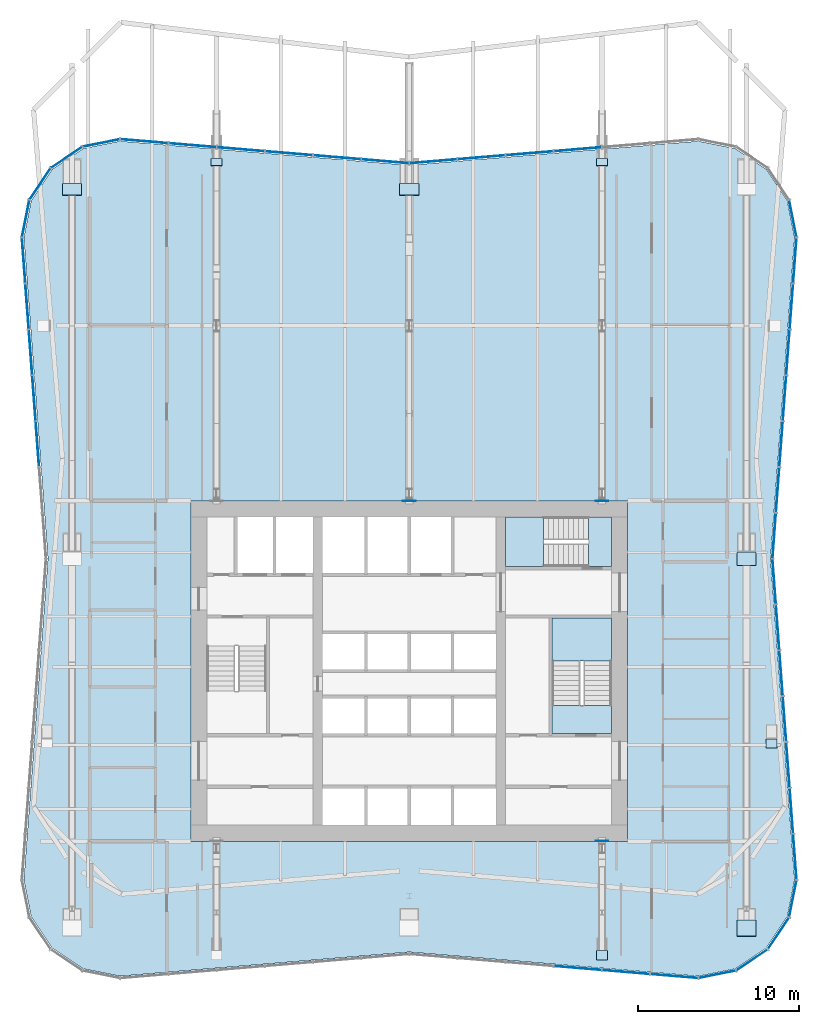
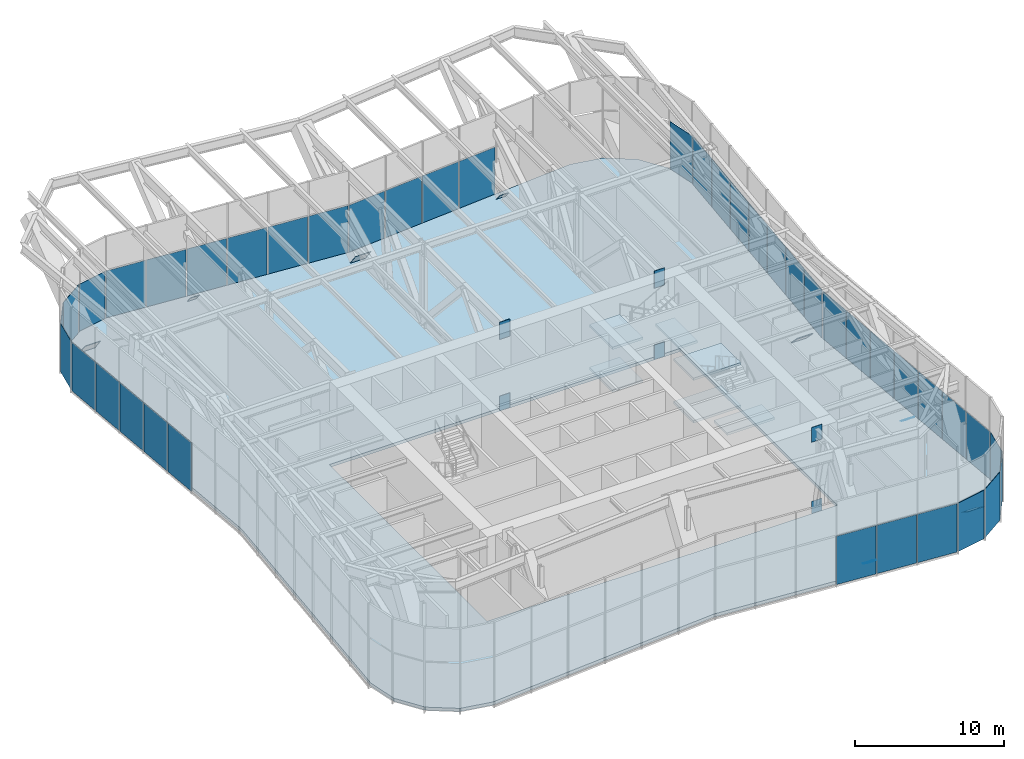
# One storey, part 9 of 16: 55 plates, 7 slabs, 9 elements without a shape of their own.
"""IFC4 building model written with IfcOpenShell, lengths in metres."""

from ifc_helpers import new_model, si_unit, direction, frame, origin, origin_2d, place, context, subcontext, project, spatial, polyline, rectangle, outline, extrude, material, layer, layer_set, type_object, element, aggregate, save


model = new_model("IFC4")

# Units and contexts
model_context = context("Model", 3, precision=1e-05, world=origin(), true_north=direction((0.0, 1.0)))
body_context = subcontext(model_context, "Body", "Model", "MODEL_VIEW")
ifc_project = project(units=[si_unit("LENGTHUNIT", "METRE"), si_unit("AREAUNIT", "SQUARE_METRE"), si_unit("VOLUMEUNIT", "CUBIC_METRE"), si_unit("PLANEANGLEUNIT", "RADIAN"), si_unit("MASSUNIT", "GRAM", prefix="KILO")], contexts=[model_context])

# Site, building, storey
site_placement = place(None, origin())
site = spatial("IfcSite", under=ifc_project, at=site_placement, CompositionType="ELEMENT")
building_placement = place(site_placement, origin())
building = spatial("IfcBuilding", under=site, at=building_placement, Name="Verdant Reach Tower", CompositionType="ELEMENT")
storey_placement = place(building_placement, frame((0.0, 0.0, 170.0)))
storey = spatial("IfcBuildingStorey", under=building, at=storey_placement, Name="L39 Plant", CompositionType="ELEMENT", Elevation=170.0)

# Stair, slabs
ifc_material_1 = material(Name="Concrete C40/50", Category="concrete")
stair_type = type_object("IfcStairType", Name="CO-STAIR", PredefinedType="HALF_TURN_STAIR", material=ifc_material_1)
stair_1_placement = place(storey_placement, origin())
stair_1 = element("IfcStair", 1, at=stair_1_placement, inside=storey, type_object=stair_type, Name="L39 Plant Exit stair 2", PredefinedType="HALF_TURN_STAIR")
ifc_layer_1 = layer(ifc_material_1, 0.199951171875)
ifc_layer_set_1 = layer_set([ifc_layer_1], Name="CO-STAIR-LANDING")
slab_type_1 = type_object("IfcSlabType", Name="CO-STAIR-LANDING", PredefinedType="LANDING", material=ifc_layer_set_1)
slab_1_placement = place(storey_placement, frame((0.0, 0.0, 1.550048828125)))
slab_1 = element("IfcSlab", 2, at=slab_1_placement, type_object=slab_type_1, Name="ST-2 landing 1", PredefinedType="LANDING", context=body_context, shape_type="SweptSolid", body=[
    extrude(outline(polyline([(12.60009765625, 28.639892578125), (12.60009765625, 31.300048828125), (8.89990234375, 31.300048828125), (8.89990234375, 28.639892578125), (12.60009765625, 28.639892578125)])), origin(), (0.0, 0.0, 1.0), 0.199951171875),
])
slab_2_placement = place(storey_placement, frame((0.0, 0.0, 3.300048828125)))
slab_2 = element("IfcSlab", 3, at=slab_2_placement, type_object=slab_type_1, Name="ST-2 landing 2", PredefinedType="LANDING", context=body_context, shape_type="SweptSolid", body=[
    extrude(outline(polyline([(12.60009765625, 24.10009765625), (12.60009765625, 25.85009765625), (8.89990234375, 25.85009765625), (8.89990234375, 24.10009765625), (12.60009765625, 24.10009765625)])), origin(), (0.0, 0.0, 1.0), 0.199951171875),
])
slab_3_placement = place(storey_placement, frame((0.0, 0.0, 5.050048828125)))
slab_3 = element("IfcSlab", 4, at=slab_3_placement, type_object=slab_type_1, Name="ST-2 landing 3", PredefinedType="LANDING", context=body_context, shape_type="SweptSolid", body=[
    extrude(outline(polyline([(12.60009765625, 28.639892578125), (12.60009765625, 31.300048828125), (8.89990234375, 31.300048828125), (8.89990234375, 28.639892578125), (12.60009765625, 28.639892578125)])), origin(), (0.0, 0.0, 1.0), 0.199951171875),
])
aggregate(stair_1, [slab_1, slab_2, slab_3])

stair_2_placement = place(storey_placement, origin())
stair_2 = element("IfcStair", 5, at=stair_2_placement, inside=storey, type_object=stair_type, Name="L39 Plant Exit stair 3", PredefinedType="HALF_TURN_STAIR")
slab_4_placement = place(storey_placement, frame((0.0, 0.0, 1.550048828125)))
slab_4 = element("IfcSlab", 6, at=slab_4_placement, type_object=slab_type_1, Name="ST-3 landing 1", PredefinedType="LANDING", context=body_context, shape_type="SweptSolid", body=[
    extrude(outline(polyline([(8.360107421875, 37.60009765625), (6.0, 37.60009765625), (6.0, 34.5), (8.360107421875, 34.5), (8.360107421875, 37.60009765625)])), origin(), (0.0, 0.0, 1.0), 0.199951171875),
])
slab_5_placement = place(storey_placement, frame((0.0, 0.0, 3.300048828125)))
slab_5 = element("IfcSlab", 7, at=slab_5_placement, type_object=slab_type_1, Name="ST-3 landing 2", PredefinedType="LANDING", context=body_context, shape_type="SweptSolid", body=[
    extrude(outline(polyline([(12.60009765625, 37.60009765625), (11.14990234375, 37.60009765625), (11.14990234375, 34.5), (12.60009765625, 34.5), (12.60009765625, 37.60009765625)])), origin(), (0.0, 0.0, 1.0), 0.199951171875),
])
slab_6_placement = place(storey_placement, frame((0.0, 0.0, 5.050048828125)))
slab_6 = element("IfcSlab", 8, at=slab_6_placement, type_object=slab_type_1, Name="ST-3 landing 3", PredefinedType="LANDING", context=body_context, shape_type="SweptSolid", body=[
    extrude(outline(polyline([(8.360107421875, 37.60009765625), (6.0, 37.60009765625), (6.0, 34.5), (8.360107421875, 34.5), (8.360107421875, 37.60009765625)])), origin(), (0.0, 0.0, 1.0), 0.199951171875),
])
aggregate(stair_2, [slab_4, slab_5, slab_6])

# Curtain wall, plates
ifc_material_2 = material(Name="Anodised aluminium", Category="aluminium")
curtain_wall_type = type_object("IfcCurtainWallType", Name="EN-CW SYSTEM PLANT", PredefinedType="NOTDEFINED", material=ifc_material_2)
curtain_wall_1_placement = place(storey_placement, origin())
curtain_wall_1 = element("IfcCurtainWall", 9, at=curtain_wall_1_placement, inside=storey, type_object=curtain_wall_type, Name="Curtain wall south-east corner, L39", PredefinedType="NOTDEFINED")
ifc_material_3 = material(Name="Bronze anodised aluminium solid panel", Category="aluminium")
ifc_layer_2 = layer(ifc_material_3, 0.0400390625)
ifc_layer_set_2 = layer_set([ifc_layer_2], Name="EN-PANEL SOLID")
plate_type_1 = type_object("IfcPlateType", Name="EN-PANEL SOLID", PredefinedType="CURTAIN_PANEL", material=ifc_layer_set_2)
plate_1_placement = place(storey_placement, frame((19.174072265625, 9.114013671875, -0.199951171875), z_axis=(0.0, 0.0, 1.0), x_axis=(0.980694678629, 0.195545256419, 0.0)))
plate_1 = element("IfcPlate", 10, at=plate_1_placement, type_object=plate_type_1, Name="Solid panel south-east corner 1.1, L39", PredefinedType="CURTAIN_PANEL", context=body_context, shape_type="SweptSolid", body=[
    extrude(rectangle(XDim=2.304931640625, YDim=0.0400390625, at=origin_2d()), origin(), (0.0, 0.0, 1.0), 3.97509765625),
])
plate_2_placement = place(storey_placement, frame((21.334228515625, 10.010009765625, -0.199951171875), z_axis=(0.0, 0.0, 1.0), x_axis=(0.83145208321, 0.555596466265, 0.0)))
plate_2 = element("IfcPlate", 11, at=plate_2_placement, type_object=plate_type_1, Name="Solid panel south-east corner 2.1, L39", PredefinedType="CURTAIN_PANEL", context=body_context, shape_type="SweptSolid", body=[
    extrude(rectangle(XDim=2.3115234375, YDim=0.0400390625, at=origin_2d()), origin(), (0.0, 0.0, 1.0), 3.97509765625),
])
plate_3_placement = place(storey_placement, frame((22.989990234375, 11.665771484375, -0.199951171875), z_axis=(0.0, 0.0, 1.0), x_axis=(0.555596466265, 0.83145208321, 0.0)))
plate_3 = element("IfcPlate", 12, at=plate_3_placement, type_object=plate_type_1, Name="Solid panel south-east corner 3.1, L39", PredefinedType="CURTAIN_PANEL", context=body_context, shape_type="SweptSolid", body=[
    extrude(rectangle(XDim=2.3115234375, YDim=0.0400390625, at=origin_2d()), origin(), (0.0, 0.0, 1.0), 3.97509765625),
])
plate_4_placement = place(storey_placement, frame((23.885986328125, 13.82568359375, -0.199951171875), z_axis=(0.0, 0.0, 1.0), x_axis=(0.195573211056, 0.980689104211, 0.0)))
plate_4 = element("IfcPlate", 13, at=plate_4_placement, type_object=plate_type_1, Name="Solid panel south-east corner 4.1, L39", PredefinedType="CURTAIN_PANEL", context=body_context, shape_type="SweptSolid", body=[
    extrude(rectangle(XDim=2.304443359375, YDim=0.0400390625, at=origin_2d()), origin(), (0.0, 0.0, 1.0), 3.97509765625),
])
aggregate(curtain_wall_1, [plate_1, plate_2, plate_3, plate_4])

curtain_wall_2_placement = place(storey_placement, origin())
curtain_wall_2 = element("IfcCurtainWall", 14, at=curtain_wall_2_placement, inside=storey, type_object=curtain_wall_type, Name="Curtain wall east, L39", PredefinedType="NOTDEFINED")
plate_5_placement = place(storey_placement, frame((24.011474609375, 16.429443359375, -0.199951171875), z_axis=(0.0, 0.0, 1.0), x_axis=(-0.074411874128, 0.997227593375, 0.0)))
plate_5 = element("IfcPlate", 15, at=plate_5_placement, type_object=plate_type_1, Name="Solid panel east face part 1 1.1, L39", PredefinedType="CURTAIN_PANEL", context=body_context, shape_type="SweptSolid", body=[
    extrude(rectangle(XDim=2.80517578125, YDim=0.0400390625, at=origin_2d()), origin(), (0.0, 0.0, 1.0), 3.97509765625),
])
plate_6_placement = place(storey_placement, frame((23.797119140625, 19.294677734375, -0.199951171875), z_axis=(0.0, 0.0, 1.0), x_axis=(-0.074789948245, 0.997199309888, 0.0)))
plate_6 = element("IfcPlate", 16, at=plate_6_placement, type_object=plate_type_1, Name="Solid panel east face part 1 2.1, L39", PredefinedType="CURTAIN_PANEL", context=body_context, shape_type="SweptSolid", body=[
    extrude(rectangle(XDim=2.7890625, YDim=0.0400390625, at=origin_2d()), origin(), (0.0, 0.0, 1.0), 3.97509765625),
])
plate_7_placement = place(storey_placement, frame((23.5830078125, 22.15185546875, -0.199951171875), z_axis=(0.0, 0.0, 1.0), x_axis=(-0.074789948245, 0.997199309888, 0.0)))
plate_7 = element("IfcPlate", 17, at=plate_7_placement, type_object=plate_type_1, Name="Solid panel east face part 1 3.1, L39", PredefinedType="CURTAIN_PANEL", context=body_context, shape_type="SweptSolid", body=[
    extrude(rectangle(XDim=2.7890625, YDim=0.0400390625, at=origin_2d()), origin(), (0.0, 0.0, 1.0), 3.97509765625),
])
plate_8_placement = place(storey_placement, frame((23.36865234375, 25.0087890625, -0.199951171875), z_axis=(0.0, 0.0, 1.0), x_axis=(-0.074789948245, 0.997199309888, 0.0)))
plate_8 = element("IfcPlate", 18, at=plate_8_placement, type_object=plate_type_1, Name="Solid panel east face part 1 4.1, L39", PredefinedType="CURTAIN_PANEL", context=body_context, shape_type="SweptSolid", body=[
    extrude(rectangle(XDim=2.7890625, YDim=0.0400390625, at=origin_2d()), origin(), (0.0, 0.0, 1.0), 3.97509765625),
])
plate_9_placement = place(storey_placement, frame((23.154296875, 27.865966796875, -0.199951171875), z_axis=(0.0, 0.0, 1.0), x_axis=(-0.074789948245, 0.997199309888, 0.0)))
plate_9 = element("IfcPlate", 19, at=plate_9_placement, type_object=plate_type_1, Name="Solid panel east face part 1 5.1, L39", PredefinedType="CURTAIN_PANEL", context=body_context, shape_type="SweptSolid", body=[
    extrude(rectangle(XDim=2.7890625, YDim=0.0400390625, at=origin_2d()), origin(), (0.0, 0.0, 1.0), 3.97509765625),
])
plate_10_placement = place(storey_placement, frame((22.940185546875, 30.72314453125, -0.199951171875), z_axis=(0.0, 0.0, 1.0), x_axis=(-0.074789948245, 0.997199309888, 0.0)))
plate_10 = element("IfcPlate", 20, at=plate_10_placement, type_object=plate_type_1, Name="Solid panel east face part 1 6.1, L39", PredefinedType="CURTAIN_PANEL", context=body_context, shape_type="SweptSolid", body=[
    extrude(rectangle(XDim=2.7890625, YDim=0.0400390625, at=origin_2d()), origin(), (0.0, 0.0, 1.0), 3.97509765625),
])
plate_11_placement = place(storey_placement, frame((22.72607421875, 33.575927734375, -0.199951171875), z_axis=(0.0, 0.0, 1.0), x_axis=(-0.074906305432, 0.997190576272, 0.0)))
plate_11 = element("IfcPlate", 21, at=plate_11_placement, type_object=plate_type_1, Name="Solid panel east face part 1 7.1, L39", PredefinedType="CURTAIN_PANEL", context=body_context, shape_type="SweptSolid", body=[
    extrude(rectangle(XDim=2.7802734375, YDim=0.0400390625, at=origin_2d()), origin(), (0.0, 0.0, 1.0), 3.97509765625),
])
plate_12_placement = place(storey_placement, frame((22.72607421875, 36.424072265625, -0.199951171875), z_axis=(0.0, 0.0, 1.0), x_axis=(0.074906305432, 0.997190576272, 0.0)))
plate_12 = element("IfcPlate", 22, at=plate_12_placement, type_object=plate_type_1, Name="Solid panel east face part 2 1.1, L39", PredefinedType="CURTAIN_PANEL", context=body_context, shape_type="SweptSolid", body=[
    extrude(rectangle(XDim=2.7802734375, YDim=0.0400390625, at=origin_2d()), origin(), (0.0, 0.0, 1.0), 3.97509765625),
])
plate_13_placement = place(storey_placement, frame((22.940185546875, 39.27685546875, -0.199951171875), z_axis=(0.0, 0.0, 1.0), x_axis=(0.074789948245, 0.997199309888, 0.0)))
plate_13 = element("IfcPlate", 23, at=plate_13_placement, type_object=plate_type_1, Name="Solid panel east face part 2 2.1, L39", PredefinedType="CURTAIN_PANEL", context=body_context, shape_type="SweptSolid", body=[
    extrude(rectangle(XDim=2.7890625, YDim=0.0400390625, at=origin_2d()), origin(), (0.0, 0.0, 1.0), 3.97509765625),
])
plate_14_placement = place(storey_placement, frame((23.154296875, 42.134033203125, -0.199951171875), z_axis=(0.0, 0.0, 1.0), x_axis=(0.074789948245, 0.997199309888, 0.0)))
plate_14 = element("IfcPlate", 24, at=plate_14_placement, type_object=plate_type_1, Name="Solid panel east face part 2 3.1, L39", PredefinedType="CURTAIN_PANEL", context=body_context, shape_type="SweptSolid", body=[
    extrude(rectangle(XDim=2.7890625, YDim=0.0400390625, at=origin_2d()), origin(), (0.0, 0.0, 1.0), 3.97509765625),
])
plate_15_placement = place(storey_placement, frame((23.36865234375, 44.9912109375, -0.199951171875), z_axis=(0.0, 0.0, 1.0), x_axis=(0.074789948245, 0.997199309888, 0.0)))
plate_15 = element("IfcPlate", 25, at=plate_15_placement, type_object=plate_type_1, Name="Solid panel east face part 2 4.1, L39", PredefinedType="CURTAIN_PANEL", context=body_context, shape_type="SweptSolid", body=[
    extrude(rectangle(XDim=2.7890625, YDim=0.0400390625, at=origin_2d()), origin(), (0.0, 0.0, 1.0), 3.97509765625),
])
plate_16_placement = place(storey_placement, frame((23.5830078125, 47.84814453125, -0.199951171875), z_axis=(0.0, 0.0, 1.0), x_axis=(0.074789948245, 0.997199309888, 0.0)))
plate_16 = element("IfcPlate", 26, at=plate_16_placement, type_object=plate_type_1, Name="Solid panel east face part 2 5.1, L39", PredefinedType="CURTAIN_PANEL", context=body_context, shape_type="SweptSolid", body=[
    extrude(rectangle(XDim=2.7890625, YDim=0.0400390625, at=origin_2d()), origin(), (0.0, 0.0, 1.0), 3.97509765625),
])
plate_17_placement = place(storey_placement, frame((23.797119140625, 50.705322265625, -0.199951171875), z_axis=(0.0, 0.0, 1.0), x_axis=(0.074789948245, 0.997199309888, 0.0)))
plate_17 = element("IfcPlate", 27, at=plate_17_placement, type_object=plate_type_1, Name="Solid panel east face part 2 6.1, L39", PredefinedType="CURTAIN_PANEL", context=body_context, shape_type="SweptSolid", body=[
    extrude(rectangle(XDim=2.7890625, YDim=0.0400390625, at=origin_2d()), origin(), (0.0, 0.0, 1.0), 3.97509765625),
])
plate_18_placement = place(storey_placement, frame((24.011474609375, 53.570556640625, -0.199951171875), z_axis=(0.0, 0.0, 1.0), x_axis=(0.074411874128, 0.997227593375, 0.0)))
plate_18 = element("IfcPlate", 28, at=plate_18_placement, type_object=plate_type_1, Name="Solid panel east face part 2 7.1, L39", PredefinedType="CURTAIN_PANEL", context=body_context, shape_type="SweptSolid", body=[
    extrude(rectangle(XDim=2.80517578125, YDim=0.0400390625, at=origin_2d()), origin(), (0.0, 0.0, 1.0), 3.97509765625),
])
aggregate(curtain_wall_2, [plate_5, plate_6, plate_7, plate_8, plate_9, plate_10, plate_11, plate_12, plate_13, plate_14, plate_15, plate_16, plate_17, plate_18])

# Curtain wall, plate
curtain_wall_3_placement = place(storey_placement, origin())
curtain_wall_3 = element("IfcCurtainWall", 29, at=curtain_wall_3_placement, inside=storey, type_object=curtain_wall_type, Name="Curtain wall north-east corner, L39", PredefinedType="NOTDEFINED")
plate_19_placement = place(storey_placement, frame((23.885986328125, 56.17431640625, -0.199951171875), z_axis=(0.0, 0.0, 1.0), x_axis=(-0.195573211056, 0.980689104211, 0.0)))
plate_19 = element("IfcPlate", 30, at=plate_19_placement, type_object=plate_type_1, Name="Solid panel north-east corner 1.1, L39", PredefinedType="CURTAIN_PANEL", context=body_context, shape_type="SweptSolid", body=[
    extrude(rectangle(XDim=2.304443359375, YDim=0.0400390625, at=origin_2d()), origin(), (0.0, 0.0, 1.0), 3.97509765625),
])
aggregate(curtain_wall_3, [plate_19])

# Curtain wall, plates
curtain_wall_4_placement = place(storey_placement, origin())
curtain_wall_4 = element("IfcCurtainWall", 31, at=curtain_wall_4_placement, inside=storey, type_object=curtain_wall_type, Name="Curtain wall north, L39", PredefinedType="NOTDEFINED")
plate_20_placement = place(storey_placement, frame((10.490234375, 60.49365234375, -0.199951171875), z_axis=(0.0, 0.0, 1.0), x_axis=(-0.996545758244, -0.083045479859, 0.0)))
plate_20 = element("IfcPlate", 32, at=plate_20_placement, type_object=plate_type_1, Name="Solid panel north face part 1 3.1, L39", PredefinedType="CURTAIN_PANEL", context=body_context, shape_type="SweptSolid", body=[
    extrude(rectangle(XDim=2.934326171875, YDim=0.0400390625, at=origin_2d()), origin(), (0.0, 0.0, 1.0), 3.97509765625),
])
plate_21_placement = place(storey_placement, frame((7.490234375, 60.24365234375, -0.199951171875), z_axis=(0.0, 0.0, 1.0), x_axis=(-0.996545758244, -0.083045479859, 0.0)))
plate_21 = element("IfcPlate", 33, at=plate_21_placement, type_object=plate_type_1, Name="Solid panel north face part 1 4.1, L39", PredefinedType="CURTAIN_PANEL", context=body_context, shape_type="SweptSolid", body=[
    extrude(rectangle(XDim=2.934326171875, YDim=0.0400390625, at=origin_2d()), origin(), (0.0, 0.0, 1.0), 3.97509765625),
])
plate_22_placement = place(storey_placement, frame((4.490234375, 59.99365234375, -0.199951171875), z_axis=(0.0, 0.0, 1.0), x_axis=(-0.996545758244, -0.083045479859, 0.0)))
plate_22 = element("IfcPlate", 34, at=plate_22_placement, type_object=plate_type_1, Name="Solid panel north face part 1 5.1, L39", PredefinedType="CURTAIN_PANEL", context=body_context, shape_type="SweptSolid", body=[
    extrude(rectangle(XDim=2.934326171875, YDim=0.0400390625, at=origin_2d()), origin(), (0.0, 0.0, 1.0), 3.97509765625),
])
plate_23_placement = place(storey_placement, frame((1.4951171875, 59.743896484375, -0.199951171875), z_axis=(0.0, 0.0, 1.0), x_axis=(-0.996534372104, -0.083182000546, 0.0)))
plate_23 = element("IfcPlate", 35, at=plate_23_placement, type_object=plate_type_1, Name="Solid panel north face part 1 6.1, L39", PredefinedType="CURTAIN_PANEL", context=body_context, shape_type="SweptSolid", body=[
    extrude(rectangle(XDim=2.924560546875, YDim=0.0400390625, at=origin_2d()), origin(), (0.0, 0.0, 1.0), 3.97509765625),
])
plate_24_placement = place(storey_placement, frame((-1.4951171875, 59.743896484375, -0.199951171875), z_axis=(0.0, 0.0, 1.0), x_axis=(-0.996534372104, 0.083182000546, 0.0)))
plate_24 = element("IfcPlate", 36, at=plate_24_placement, type_object=plate_type_1, Name="Solid panel north face part 2 1.1, L39", PredefinedType="CURTAIN_PANEL", context=body_context, shape_type="SweptSolid", body=[
    extrude(rectangle(XDim=2.924560546875, YDim=0.0400390625, at=origin_2d()), origin(), (0.0, 0.0, 1.0), 3.97509765625),
])
plate_25_placement = place(storey_placement, frame((-4.490234375, 59.99365234375, -0.199951171875), z_axis=(0.0, 0.0, 1.0), x_axis=(-0.996545758244, 0.083045479859, 0.0)))
plate_25 = element("IfcPlate", 37, at=plate_25_placement, type_object=plate_type_1, Name="Solid panel north face part 2 2.1, L39", PredefinedType="CURTAIN_PANEL", context=body_context, shape_type="SweptSolid", body=[
    extrude(rectangle(XDim=2.934326171875, YDim=0.0400390625, at=origin_2d()), origin(), (0.0, 0.0, 1.0), 3.97509765625),
])
plate_26_placement = place(storey_placement, frame((-7.490234375, 60.24365234375, -0.199951171875), z_axis=(0.0, 0.0, 1.0), x_axis=(-0.996545758244, 0.083045479859, 0.0)))
plate_26 = element("IfcPlate", 38, at=plate_26_placement, type_object=plate_type_1, Name="Solid panel north face part 2 3.1, L39", PredefinedType="CURTAIN_PANEL", context=body_context, shape_type="SweptSolid", body=[
    extrude(rectangle(XDim=2.934326171875, YDim=0.0400390625, at=origin_2d()), origin(), (0.0, 0.0, 1.0), 3.97509765625),
])
plate_27_placement = place(storey_placement, frame((-10.490234375, 60.49365234375, -0.199951171875), z_axis=(0.0, 0.0, 1.0), x_axis=(-0.996545758244, 0.083045479859, 0.0)))
plate_27 = element("IfcPlate", 39, at=plate_27_placement, type_object=plate_type_1, Name="Solid panel north face part 2 4.1, L39", PredefinedType="CURTAIN_PANEL", context=body_context, shape_type="SweptSolid", body=[
    extrude(rectangle(XDim=2.934326171875, YDim=0.0400390625, at=origin_2d()), origin(), (0.0, 0.0, 1.0), 3.97509765625),
])
plate_28_placement = place(storey_placement, frame((-13.490234375, 60.74365234375, -0.199951171875), z_axis=(0.0, 0.0, 1.0), x_axis=(-0.996545758244, 0.083045479859, 0.0)))
plate_28 = element("IfcPlate", 40, at=plate_28_placement, type_object=plate_type_1, Name="Solid panel north face part 2 5.1, L39", PredefinedType="CURTAIN_PANEL", context=body_context, shape_type="SweptSolid", body=[
    extrude(rectangle(XDim=2.934326171875, YDim=0.0400390625, at=origin_2d()), origin(), (0.0, 0.0, 1.0), 3.97509765625),
])
plate_29_placement = place(storey_placement, frame((-16.49853515625, 60.99365234375, -0.199951171875), z_axis=(0.0, 0.0, 1.0), x_axis=(-0.996577509664, 0.082663578629, 0.0)))
plate_29 = element("IfcPlate", 41, at=plate_29_placement, type_object=plate_type_1, Name="Solid panel north face part 2 6.1, L39", PredefinedType="CURTAIN_PANEL", context=body_context, shape_type="SweptSolid", body=[
    extrude(rectangle(XDim=2.950927734375, YDim=0.0400390625, at=origin_2d()), origin(), (0.0, 0.0, 1.0), 3.97509765625),
])
aggregate(curtain_wall_4, [plate_20, plate_21, plate_22, plate_23, plate_24, plate_25, plate_26, plate_27, plate_28, plate_29])

curtain_wall_5_placement = place(storey_placement, origin())
curtain_wall_5 = element("IfcCurtainWall", 42, at=curtain_wall_5_placement, inside=storey, type_object=curtain_wall_type, Name="Curtain wall north-west corner, L39", PredefinedType="NOTDEFINED")
plate_30_placement = place(storey_placement, frame((-19.174072265625, 60.885986328125, -0.199951171875), z_axis=(0.0, 0.0, 1.0), x_axis=(-0.980694678629, -0.195545256419, 0.0)))
plate_30 = element("IfcPlate", 43, at=plate_30_placement, type_object=plate_type_1, Name="Solid panel north-west corner 1.1, L39", PredefinedType="CURTAIN_PANEL", context=body_context, shape_type="SweptSolid", body=[
    extrude(rectangle(XDim=2.304931640625, YDim=0.0400390625, at=origin_2d()), origin(), (0.0, 0.0, 1.0), 3.97509765625),
])
plate_31_placement = place(storey_placement, frame((-21.334228515625, 59.989990234375, -0.199951171875), z_axis=(0.0, 0.0, 1.0), x_axis=(-0.83145208321, -0.555596466265, 0.0)))
plate_31 = element("IfcPlate", 44, at=plate_31_placement, type_object=plate_type_1, Name="Solid panel north-west corner 2.1, L39", PredefinedType="CURTAIN_PANEL", context=body_context, shape_type="SweptSolid", body=[
    extrude(rectangle(XDim=2.3115234375, YDim=0.0400390625, at=origin_2d()), origin(), (0.0, 0.0, 1.0), 3.97509765625),
])
plate_32_placement = place(storey_placement, frame((-22.989990234375, 58.334228515625, -0.199951171875), z_axis=(0.0, 0.0, 1.0), x_axis=(-0.555596466265, -0.83145208321, 0.0)))
plate_32 = element("IfcPlate", 45, at=plate_32_placement, type_object=plate_type_1, Name="Solid panel north-west corner 3.1, L39", PredefinedType="CURTAIN_PANEL", context=body_context, shape_type="SweptSolid", body=[
    extrude(rectangle(XDim=2.3115234375, YDim=0.0400390625, at=origin_2d()), origin(), (0.0, 0.0, 1.0), 3.97509765625),
])
plate_33_placement = place(storey_placement, frame((-23.885986328125, 56.17431640625, -0.199951171875), z_axis=(0.0, 0.0, 1.0), x_axis=(-0.195573211056, -0.980689104211, 0.0)))
plate_33 = element("IfcPlate", 46, at=plate_33_placement, type_object=plate_type_1, Name="Solid panel north-west corner 4.1, L39", PredefinedType="CURTAIN_PANEL", context=body_context, shape_type="SweptSolid", body=[
    extrude(rectangle(XDim=2.304443359375, YDim=0.0400390625, at=origin_2d()), origin(), (0.0, 0.0, 1.0), 3.97509765625),
])
aggregate(curtain_wall_5, [plate_30, plate_31, plate_32, plate_33])

curtain_wall_6_placement = place(storey_placement, origin())
curtain_wall_6 = element("IfcCurtainWall", 47, at=curtain_wall_6_placement, inside=storey, type_object=curtain_wall_type, Name="Curtain wall west, L39", PredefinedType="NOTDEFINED")
plate_34_placement = place(storey_placement, frame((-24.011474609375, 53.570556640625, -0.199951171875), z_axis=(0.0, 0.0, 1.0), x_axis=(0.074411874128, -0.997227593375, 0.0)))
plate_34 = element("IfcPlate", 48, at=plate_34_placement, type_object=plate_type_1, Name="Solid panel west face part 1 1.1, L39", PredefinedType="CURTAIN_PANEL", context=body_context, shape_type="SweptSolid", body=[
    extrude(rectangle(XDim=2.80517578125, YDim=0.0400390625, at=origin_2d()), origin(), (0.0, 0.0, 1.0), 3.97509765625),
])
plate_35_placement = place(storey_placement, frame((-23.797119140625, 50.705322265625, -0.199951171875), z_axis=(0.0, 0.0, 1.0), x_axis=(0.074789948245, -0.997199309888, 0.0)))
plate_35 = element("IfcPlate", 49, at=plate_35_placement, type_object=plate_type_1, Name="Solid panel west face part 1 2.1, L39", PredefinedType="CURTAIN_PANEL", context=body_context, shape_type="SweptSolid", body=[
    extrude(rectangle(XDim=2.7890625, YDim=0.0400390625, at=origin_2d()), origin(), (0.0, 0.0, 1.0), 3.97509765625),
])
plate_36_placement = place(storey_placement, frame((-23.5830078125, 47.84814453125, -0.199951171875), z_axis=(0.0, 0.0, 1.0), x_axis=(0.074789948245, -0.997199309888, 0.0)))
plate_36 = element("IfcPlate", 50, at=plate_36_placement, type_object=plate_type_1, Name="Solid panel west face part 1 3.1, L39", PredefinedType="CURTAIN_PANEL", context=body_context, shape_type="SweptSolid", body=[
    extrude(rectangle(XDim=2.7890625, YDim=0.0400390625, at=origin_2d()), origin(), (0.0, 0.0, 1.0), 3.97509765625),
])
plate_37_placement = place(storey_placement, frame((-23.36865234375, 44.9912109375, -0.199951171875), z_axis=(0.0, 0.0, 1.0), x_axis=(0.074789948245, -0.997199309888, 0.0)))
plate_37 = element("IfcPlate", 51, at=plate_37_placement, type_object=plate_type_1, Name="Solid panel west face part 1 4.1, L39", PredefinedType="CURTAIN_PANEL", context=body_context, shape_type="SweptSolid", body=[
    extrude(rectangle(XDim=2.7890625, YDim=0.0400390625, at=origin_2d()), origin(), (0.0, 0.0, 1.0), 3.97509765625),
])
plate_38_placement = place(storey_placement, frame((-23.154296875, 42.134033203125, -0.199951171875), z_axis=(0.0, 0.0, 1.0), x_axis=(0.074789948245, -0.997199309888, 0.0)))
plate_38 = element("IfcPlate", 52, at=plate_38_placement, type_object=plate_type_1, Name="Solid panel west face part 1 5.1, L39", PredefinedType="CURTAIN_PANEL", context=body_context, shape_type="SweptSolid", body=[
    extrude(rectangle(XDim=2.7890625, YDim=0.0400390625, at=origin_2d()), origin(), (0.0, 0.0, 1.0), 3.97509765625),
])
aggregate(curtain_wall_6, [plate_34, plate_35, plate_36, plate_37, plate_38])

curtain_wall_7_placement = place(storey_placement, origin())
curtain_wall_7 = element("IfcCurtainWall", 53, at=curtain_wall_7_placement, inside=storey, type_object=curtain_wall_type, Name="Curtain wall south, L39", PredefinedType="NOTDEFINED")
plate_39_placement = place(storey_placement, frame((10.490234375, 9.50634765625, -0.199951171875), z_axis=(0.0, 0.0, 1.0), x_axis=(0.996545758244, -0.083045479859, 0.0)))
plate_39 = element("IfcPlate", 54, at=plate_39_placement, type_object=plate_type_1, Name="Solid panel south face part 2 4.1, L39", PredefinedType="CURTAIN_PANEL", context=body_context, shape_type="SweptSolid", body=[
    extrude(rectangle(XDim=2.934326171875, YDim=0.0400390625, at=origin_2d()), origin(), (0.0, 0.0, 1.0), 3.97509765625),
])
plate_40_placement = place(storey_placement, frame((13.490234375, 9.25634765625, -0.199951171875), z_axis=(0.0, 0.0, 1.0), x_axis=(0.996545758244, -0.083045479859, 0.0)))
plate_40 = element("IfcPlate", 55, at=plate_40_placement, type_object=plate_type_1, Name="Solid panel south face part 2 5.1, L39", PredefinedType="CURTAIN_PANEL", context=body_context, shape_type="SweptSolid", body=[
    extrude(rectangle(XDim=2.934326171875, YDim=0.0400390625, at=origin_2d()), origin(), (0.0, 0.0, 1.0), 3.97509765625),
])
plate_41_placement = place(storey_placement, frame((16.49853515625, 9.00634765625, -0.199951171875), z_axis=(0.0, 0.0, 1.0), x_axis=(0.996577509664, -0.082663578629, 0.0)))
plate_41 = element("IfcPlate", 56, at=plate_41_placement, type_object=plate_type_1, Name="Solid panel south face part 2 6.1, L39", PredefinedType="CURTAIN_PANEL", context=body_context, shape_type="SweptSolid", body=[
    extrude(rectangle(XDim=2.950927734375, YDim=0.0400390625, at=origin_2d()), origin(), (0.0, 0.0, 1.0), 3.97509765625),
])
aggregate(curtain_wall_7, [plate_39, plate_40, plate_41])

# Plates
ifc_material_4 = material(Name="Steel S460", Category="steel")
ifc_layer_3 = layer(ifc_material_4, 0.030029296875)
ifc_layer_set_3 = layer_set([ifc_layer_3], Name="ST-PLATE-CASTIN30")
plate_type_2 = type_object("IfcPlateType", Name="ST-PLATE-CASTIN30", PredefinedType="SHEET", material=ifc_layer_set_3)
plate_42_placement = place(storey_placement, frame((0.0, 38.5849609375, -0.19287109375), z_axis=(0.0, 0.0, 1.0), x_axis=(1.0, 0.0, 0.0)))
element("IfcPlate", 57, at=plate_42_placement, inside=storey, type_object=plate_type_2, Name="CAST-IN PLATE, outrigger truss D north bottom chord, L39 Plant", PredefinedType="SHEET", context=body_context, shape_type="SweptSolid", body=[
    extrude(rectangle(XDim=0.800048828125, YDim=0.030029296875, at=origin_2d()), origin(), (0.0, 0.0, 1.0), 1.199951171875),
])
plate_43_placement = place(storey_placement, frame((0.0, 38.5849609375, 5.662109375), z_axis=(0.0, 0.0, 1.0), x_axis=(1.0, 0.0, 0.0)))
element("IfcPlate", 58, at=plate_43_placement, inside=storey, type_object=plate_type_2, Name="CAST-IN PLATE, outrigger truss D north top chord, L39 Plant", PredefinedType="SHEET", context=body_context, shape_type="SweptSolid", body=[
    extrude(rectangle(XDim=0.800048828125, YDim=0.030029296875, at=origin_2d()), origin(), (0.0, 0.0, 1.0), 1.407958984375),
])
plate_44_placement = place(storey_placement, frame((12.0, 38.5849609375, -0.19287109375), z_axis=(0.0, 0.0, 1.0), x_axis=(1.0, 0.0, 0.0)))
element("IfcPlate", 59, at=plate_44_placement, inside=storey, type_object=plate_type_2, Name="CAST-IN PLATE, outrigger truss E north bottom chord, L39 Plant", PredefinedType="SHEET", context=body_context, shape_type="SweptSolid", body=[
    extrude(rectangle(XDim=0.800048828125, YDim=0.030029296875, at=origin_2d()), origin(), (0.0, 0.0, 1.0), 1.199951171875),
])
plate_45_placement = place(storey_placement, frame((12.0, 38.5849609375, 5.662109375), z_axis=(0.0, 0.0, 1.0), x_axis=(1.0, 0.0, 0.0)))
element("IfcPlate", 60, at=plate_45_placement, inside=storey, type_object=plate_type_2, Name="CAST-IN PLATE, outrigger truss E north top chord, L39 Plant", PredefinedType="SHEET", context=body_context, shape_type="SweptSolid", body=[
    extrude(rectangle(XDim=0.800048828125, YDim=0.030029296875, at=origin_2d()), origin(), (0.0, 0.0, 1.0), 1.407958984375),
])
plate_46_placement = place(storey_placement, frame((12.0, 17.4150390625, -0.19287109375), z_axis=(0.0, 0.0, 1.0), x_axis=(1.0, 0.0, 0.0)))
element("IfcPlate", 61, at=plate_46_placement, inside=storey, type_object=plate_type_2, Name="CAST-IN PLATE, outrigger truss E south bottom chord, L39 Plant", PredefinedType="SHEET", context=body_context, shape_type="SweptSolid", body=[
    extrude(rectangle(XDim=0.800048828125, YDim=0.030029296875, at=origin_2d()), origin(), (0.0, 0.0, 1.0), 1.199951171875),
])
plate_47_placement = place(storey_placement, frame((12.0, 17.4150390625, 5.85595703125), z_axis=(0.0, 0.0, 1.0), x_axis=(1.0, 0.0, 0.0)))
element("IfcPlate", 62, at=plate_47_placement, inside=storey, type_object=plate_type_2, Name="CAST-IN PLATE, outrigger truss E south top chord, L39 Plant", PredefinedType="SHEET", context=body_context, shape_type="SweptSolid", body=[
    extrude(rectangle(XDim=0.800048828125, YDim=0.030029296875, at=origin_2d()), origin(), (0.0, 0.0, 1.0), 1.214111328125),
])
ifc_layer_4 = layer(ifc_material_4, 0.02001953125)
ifc_layer_set_4 = layer_set([ifc_layer_4], Name="ST-PLATE-END20")
plate_type_3 = type_object("IfcPlateType", Name="ST-PLATE-END20", PredefinedType="SHEET", material=ifc_layer_set_4)
for number, where, z_axis, x_axis, name in (
    (63, (-21.0, 57.98388671875, 0.482177734375), (0.0, 0.802910201746, 0.596099998266), (-1.0, 0.0, 0.0), "Cap plate, mega column north-west, L39 Plant"),
    (64, (0.0, 57.98388671875, 0.482177734375), (0.0, 0.802910201746, 0.596099998266), (-1.0, 0.0, 0.0), "Cap plate, mega column north, L39 Plant"),
):
    element("IfcPlate", number, at=place(storey_placement, frame(where, z_axis=z_axis, x_axis=x_axis)), inside=storey, type_object=plate_type_3, Name=name, PredefinedType="SHEET", context=body_context, shape_type="SweptSolid", body=[
        extrude(rectangle(XDim=1.199951171875, YDim=1.199951171875, at=origin_2d()), origin(), (0.0, 0.0, 1.0), 0.02001953125),
    ])
plate_48_placement = place(storey_placement, frame((21.0, 34.985595703125, 0.431884765625), z_axis=(0.0, 0.713124382013, 0.701037528081), x_axis=(-1.0, 0.0, 0.0)))
element("IfcPlate", 65, at=plate_48_placement, inside=storey, type_object=plate_type_3, Name="Cap plate, mega column east, L39 Plant", PredefinedType="SHEET", context=body_context, shape_type="SweptSolid", body=[
    extrude(rectangle(XDim=1.199951171875, YDim=1.199951171875, at=origin_2d()), origin(), (0.0, 0.0, 1.0), 0.020263671875),
])
plate_49_placement = place(storey_placement, frame((21.0, 11.9892578125, 0.328369140625), z_axis=(0.0, 0.537665941617, 0.8431579539), x_axis=(-1.0, 0.0, 0.0)))
element("IfcPlate", 66, at=plate_49_placement, inside=storey, type_object=plate_type_3, Name="Cap plate, mega column south-east, L39 Plant", PredefinedType="SHEET", context=body_context, shape_type="SweptSolid", body=[
    extrude(rectangle(XDim=1.199951171875, YDim=1.199951171875, at=origin_2d()), origin(), (0.0, 0.0, 1.0), 0.02001953125),
])
for number, where, z_axis, x_axis, name in (
    (67, (-12.0, 59.684326171875, 0.2841796875), (0.0, 0.782059551443, 0.623203705056), (-1.0, 0.0, 0.0), "Cap plate, perimeter column north 1, L39 Plant"),
    (68, (12.0, 59.684326171875, 0.2841796875), (0.0, 0.782059551443, 0.623203705056), (-1.0, 0.0, 0.0), "Cap plate, perimeter column north 2, L39 Plant"),
    (69, (12.0, 10.288818359375, 0.208984375), (0.0, 0.560309367704, 0.828283413128), (-1.0, 0.0, 0.0), "Cap plate, perimeter column south 2, L39 Plant"),
    (70, (22.5625, 23.48779296875, 0.224609375), (0.0, 0.60971076085, 0.792623989105), (-1.0, 0.0, 0.0), "Cap plate, perimeter column east 1, L39 Plant"),
):
    element("IfcPlate", number, at=place(storey_placement, frame(where, z_axis=z_axis, x_axis=x_axis)), inside=storey, type_object=plate_type_3, Name=name, PredefinedType="SHEET", context=body_context, shape_type="SweptSolid", body=[
        extrude(rectangle(XDim=0.699951171875, YDim=0.699951171875, at=origin_2d()), origin(), (0.0, 0.0, 1.0), 0.02001953125),
    ])

# Slab
ifc_material_5 = material(Name="Concrete C35/45", Category="concrete")
ifc_layer_5 = layer(ifc_material_5, 0.25)
ifc_layer_set_5 = layer_set([ifc_layer_5], Name="ST-SLAB-250")
slab_type_2 = type_object("IfcSlabType", Name="ST-SLAB-250", PredefinedType="FLOOR", material=ifc_layer_set_5)
slab_7_placement = place(storey_placement, frame((0.0, 0.0, -0.25)))
element("IfcSlab", 71, at=slab_7_placement, inside=storey, type_object=slab_type_2, Name="Floor slab L39 Plant", PredefinedType="FLOOR", context=body_context, shape_type="SweptSolid", body=[
    extrude(outline(polyline([(0.0, 10.5), (-18.0, 9.0), (-20.296142578125, 9.456787109375), (-22.24267578125, 10.75732421875), (-23.543212890625, 12.703857421875), (-24.0, 15.0), (-22.5, 35.0), (-24.0, 55.0), (-23.543212890625, 57.296142578125), (-22.24267578125, 59.24267578125), (-20.296142578125, 60.543212890625), (-18.0, 61.0), (0.0, 59.5), (18.0, 61.0), (20.296142578125, 60.543212890625), (22.24267578125, 59.24267578125), (23.543212890625, 57.296142578125), (24.0, 55.0), (22.5, 35.0), (24.0, 15.0), (23.543212890625, 12.703857421875), (22.24267578125, 10.75732421875), (20.296142578125, 9.456787109375), (18.0, 9.0), (0.0, 10.5)]), holes=[polyline([(13.60009765625, 38.60009765625), (-13.60009765625, 38.60009765625), (-13.60009765625, 17.39990234375), (13.60009765625, 17.39990234375), (13.60009765625, 38.60009765625)])]), origin(), (0.0, 0.0, 1.0), 0.25),
])

save(model, "model.ifc")
